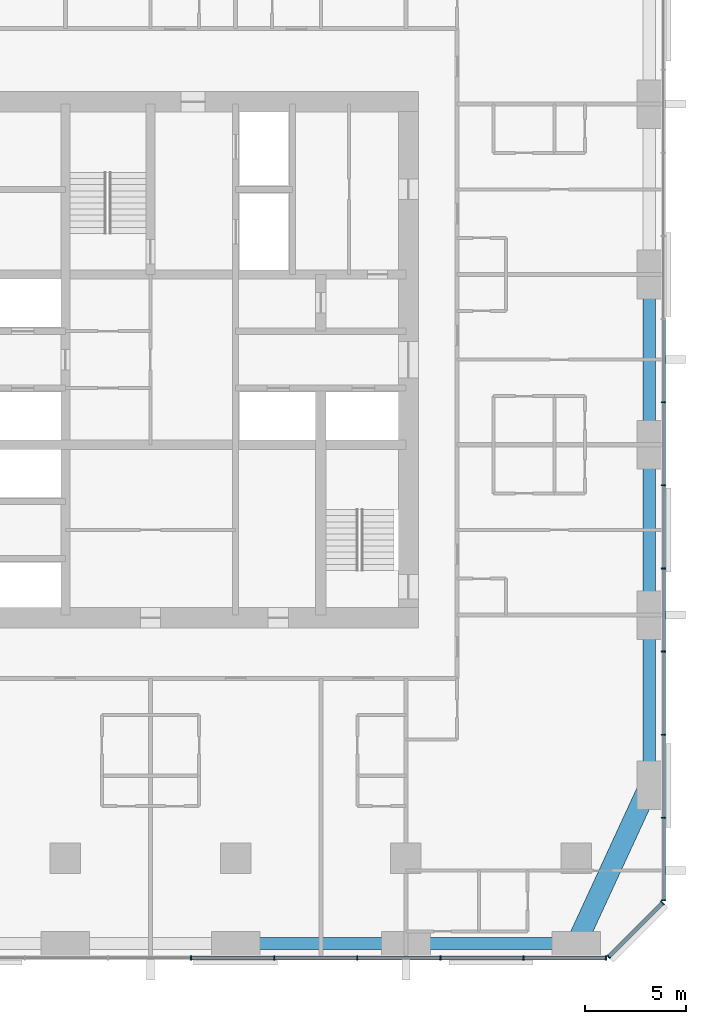
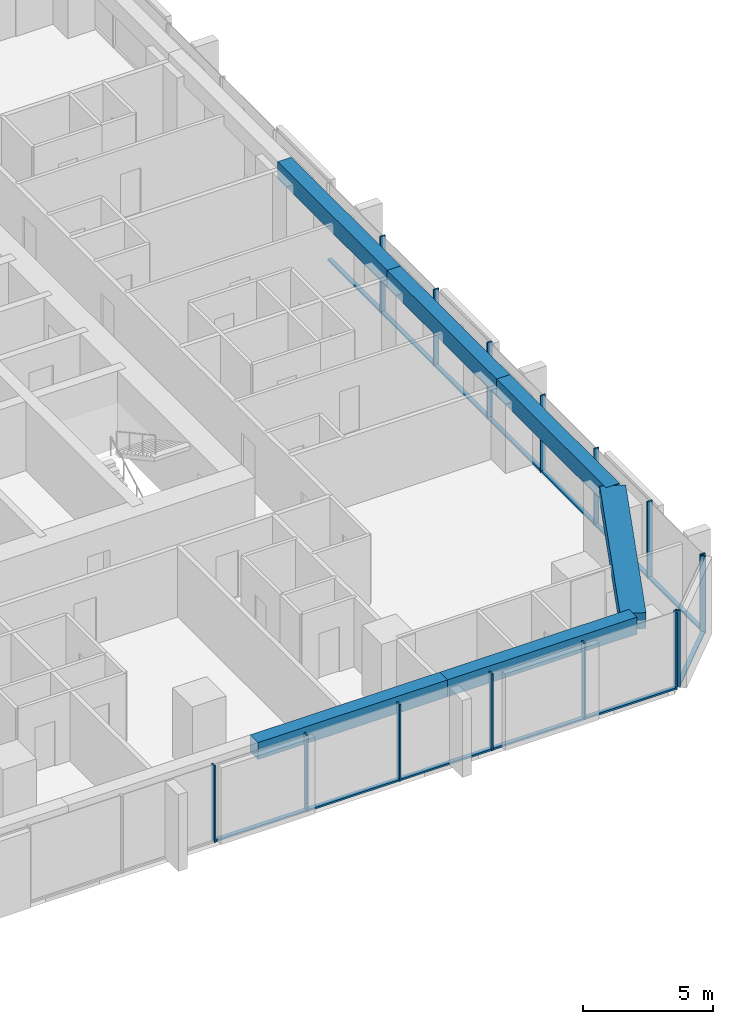
# One storey, part 4 of 14: 28 members, 6 beams, 3 elements without a shape of their own.
"""IFC4 building model written with IfcOpenShell, lengths in metres."""

from ifc_helpers import new_model, si_unit, direction, frame, origin, origin_2d, place, context, subcontext, project, spatial, rectangle, extrude, material, material_profile, profile_set, type_object, element, aggregate, save


model = new_model("IFC4")

# Units and contexts
model_context = context("Model", 3, precision=1e-05, world=origin(), true_north=direction((0.0, 1.0)))
body_context = subcontext(model_context, "Body", "Model", "MODEL_VIEW")
ifc_project = project(units=[si_unit("LENGTHUNIT", "METRE"), si_unit("AREAUNIT", "SQUARE_METRE"), si_unit("VOLUMEUNIT", "CUBIC_METRE"), si_unit("PLANEANGLEUNIT", "RADIAN"), si_unit("MASSUNIT", "GRAM", prefix="KILO")], contexts=[model_context])

# Site, building, storey
site_placement = place(None, origin())
site = spatial("IfcSite", under=ifc_project, at=site_placement, CompositionType="ELEMENT")
building_placement = place(site_placement, origin())
building = spatial("IfcBuilding", under=site, at=building_placement, Name="Dunama Terrace Hotel", CompositionType="ELEMENT")
storey_placement = place(building_placement, frame((0.0, 0.0, 129.60009765625)))
storey = spatial("IfcBuildingStorey", under=building, at=storey_placement, Name="L33", CompositionType="ELEMENT", Elevation=129.60009765625)

# Curtain wall, members
ifc_material_1 = material(Name="Aluminium curtain wall system", Category="aluminium")
curtain_wall_type = type_object("IfcCurtainWallType", Name="Unitised fritted glass wall CW-B", PredefinedType="NOTDEFINED", material=ifc_material_1)
curtain_wall_1_placement = place(storey_placement, origin())
curtain_wall_1 = element("IfcCurtainWall", 1, at=curtain_wall_1_placement, inside=storey, type_object=curtain_wall_type, Name="Unitised fritted glass wall CW-B L33", PredefinedType="NOTDEFINED")
ifc_material_2 = material(Name="Aluminium mullion", Category="aluminium")
ifc_material_profile_1 = material_profile(ifc_material_2, rectangle(XDim=0.06494140625, YDim=0.219970703125, at=origin_2d()), Name="CWB MULLION 65X220")
ifc_profile_set_1 = profile_set([ifc_material_profile_1], Name="Aluminium mullion")
member_type_1 = type_object("IfcMemberType", Name="CWB mullion 65x220", PredefinedType="MULLION", material=ifc_profile_set_1)
member_1_placement = place(storey_placement, frame((31.39990234375, -0.110107421875, 0.0), z_axis=(0.0, 0.0, 1.0), x_axis=(1.0, 0.0, 0.0)))
member_1 = element("IfcMember", 2, at=member_1_placement, type_object=member_type_1, Name="CWB mullion", PredefinedType="MULLION", context=body_context, shape_type="SweptSolid", body=[
    extrude(rectangle(XDim=0.06494140625, YDim=0.219970703125, at=origin_2d()), origin(), (0.0, 0.0, 1.0), 3.599853515625),
])
member_2_placement = place(storey_placement, frame((35.5, -0.110107421875, 0.0), z_axis=(0.0, 0.0, 1.0), x_axis=(1.0, 0.0, 0.0)))
member_2 = element("IfcMember", 3, at=member_2_placement, type_object=member_type_1, Name="CWB mullion", PredefinedType="MULLION", context=body_context, shape_type="SweptSolid", body=[
    extrude(rectangle(XDim=0.06494140625, YDim=0.219970703125, at=origin_2d()), origin(), (0.0, 0.0, 1.0), 3.599853515625),
])
member_3_placement = place(storey_placement, frame((39.60009765625, -0.110107421875, 0.0), z_axis=(0.0, 0.0, 1.0), x_axis=(1.0, 0.0, 0.0)))
member_3 = element("IfcMember", 4, at=member_3_placement, type_object=member_type_1, Name="CWB mullion", PredefinedType="MULLION", context=body_context, shape_type="SweptSolid", body=[
    extrude(rectangle(XDim=0.06494140625, YDim=0.219970703125, at=origin_2d()), origin(), (0.0, 0.0, 1.0), 3.599853515625),
])
member_4_placement = place(storey_placement, frame((43.699951171875, -0.110107421875, 0.0), z_axis=(0.0, 0.0, 1.0), x_axis=(1.0, 0.0, 0.0)))
member_4 = element("IfcMember", 5, at=member_4_placement, type_object=member_type_1, Name="CWB mullion", PredefinedType="MULLION", context=body_context, shape_type="SweptSolid", body=[
    extrude(rectangle(XDim=0.06494140625, YDim=0.219970703125, at=origin_2d()), origin(), (0.0, 0.0, 1.0), 3.599853515625),
])
member_5_placement = place(storey_placement, frame((47.800048828125, -0.110107421875, 0.0), z_axis=(0.0, 0.0, 1.0), x_axis=(1.0, 0.0, 0.0)))
member_5 = element("IfcMember", 6, at=member_5_placement, type_object=member_type_1, Name="CWB mullion", PredefinedType="MULLION", context=body_context, shape_type="SweptSolid", body=[
    extrude(rectangle(XDim=0.06494140625, YDim=0.219970703125, at=origin_2d()), origin(), (0.0, 0.0, 1.0), 3.599853515625),
])
member_6_placement = place(storey_placement, frame((51.866943359375, -0.110107421875, 0.0), z_axis=(0.0, 0.0, 1.0), x_axis=(1.0, 0.0, 0.0)))
member_6 = element("IfcMember", 7, at=member_6_placement, type_object=member_type_1, Name="CWB mullion", PredefinedType="MULLION", context=body_context, shape_type="SweptSolid", body=[
    extrude(rectangle(XDim=0.06494140625, YDim=0.219970703125, at=origin_2d()), origin(), (0.0, 0.0, 1.0), 3.599853515625),
])

curtain_wall_2_placement = place(storey_placement, origin())
curtain_wall_2 = element("IfcCurtainWall", 8, at=curtain_wall_2_placement, inside=storey, type_object=curtain_wall_type, Name="Unitised fritted glass wall CW-B L33", PredefinedType="NOTDEFINED")
member_7_placement = place(storey_placement, frame((52.0009765625, -0.054931640625, 0.0), z_axis=(0.0, 0.0, 1.0), x_axis=(0.707106781187, 0.707106781187, 0.0)))
member_7 = element("IfcMember", 9, at=member_7_placement, type_object=member_type_1, Name="CWB mullion", PredefinedType="MULLION", context=body_context, shape_type="SweptSolid", body=[
    extrude(rectangle(XDim=0.06494140625, YDim=0.219970703125, at=origin_2d()), origin(), (0.0, 0.0, 1.0), 3.599853515625),
])
member_8_placement = place(storey_placement, frame((54.655029296875, 2.59912109375, 0.0), z_axis=(0.0, 0.0, 1.0), x_axis=(0.707106781187, 0.707106781187, 0.0)))
member_8 = element("IfcMember", 10, at=member_8_placement, type_object=member_type_1, Name="CWB mullion", PredefinedType="MULLION", context=body_context, shape_type="SweptSolid", body=[
    extrude(rectangle(XDim=0.06494140625, YDim=0.219970703125, at=origin_2d()), origin(), (0.0, 0.0, 1.0), 3.599853515625),
])

curtain_wall_3_placement = place(storey_placement, origin())
curtain_wall_3 = element("IfcCurtainWall", 11, at=curtain_wall_3_placement, inside=storey, type_object=curtain_wall_type, Name="Unitised fritted glass wall CW-B L33", PredefinedType="NOTDEFINED")
member_9_placement = place(storey_placement, frame((54.7099609375, 2.73291015625, 0.0), z_axis=(0.0, 0.0, 1.0), x_axis=(0.0, 1.0, 0.0)))
member_9 = element("IfcMember", 12, at=member_9_placement, type_object=member_type_1, Name="CWB mullion", PredefinedType="MULLION", context=body_context, shape_type="SweptSolid", body=[
    extrude(rectangle(XDim=0.06494140625, YDim=0.219970703125, at=origin_2d()), origin(), (0.0, 0.0, 1.0), 3.599853515625),
])
member_10_placement = place(storey_placement, frame((54.7099609375, 6.800048828125, 0.0), z_axis=(0.0, 0.0, 1.0), x_axis=(0.0, 1.0, 0.0)))
member_10 = element("IfcMember", 13, at=member_10_placement, type_object=member_type_1, Name="CWB mullion", PredefinedType="MULLION", context=body_context, shape_type="SweptSolid", body=[
    extrude(rectangle(XDim=0.06494140625, YDim=0.219970703125, at=origin_2d()), origin(), (0.0, 0.0, 1.0), 3.599853515625),
])
member_11_placement = place(storey_placement, frame((54.7099609375, 10.89990234375, 0.0), z_axis=(0.0, 0.0, 1.0), x_axis=(0.0, 1.0, 0.0)))
member_11 = element("IfcMember", 14, at=member_11_placement, type_object=member_type_1, Name="CWB mullion", PredefinedType="MULLION", context=body_context, shape_type="SweptSolid", body=[
    extrude(rectangle(XDim=0.06494140625, YDim=0.219970703125, at=origin_2d()), origin(), (0.0, 0.0, 1.0), 3.599853515625),
])
member_12_placement = place(storey_placement, frame((54.7099609375, 15.0, 0.0), z_axis=(0.0, 0.0, 1.0), x_axis=(0.0, 1.0, 0.0)))
member_12 = element("IfcMember", 15, at=member_12_placement, type_object=member_type_1, Name="CWB mullion", PredefinedType="MULLION", context=body_context, shape_type="SweptSolid", body=[
    extrude(rectangle(XDim=0.06494140625, YDim=0.219970703125, at=origin_2d()), origin(), (0.0, 0.0, 1.0), 3.599853515625),
])
member_13_placement = place(storey_placement, frame((54.7099609375, 19.10009765625, 0.0), z_axis=(0.0, 0.0, 1.0), x_axis=(0.0, 1.0, 0.0)))
member_13 = element("IfcMember", 16, at=member_13_placement, type_object=member_type_1, Name="CWB mullion", PredefinedType="MULLION", context=body_context, shape_type="SweptSolid", body=[
    extrude(rectangle(XDim=0.06494140625, YDim=0.219970703125, at=origin_2d()), origin(), (0.0, 0.0, 1.0), 3.599853515625),
])
member_14_placement = place(storey_placement, frame((54.7099609375, 23.199951171875, 0.0), z_axis=(0.0, 0.0, 1.0), x_axis=(0.0, 1.0, 0.0)))
member_14 = element("IfcMember", 17, at=member_14_placement, type_object=member_type_1, Name="CWB mullion", PredefinedType="MULLION", context=body_context, shape_type="SweptSolid", body=[
    extrude(rectangle(XDim=0.06494140625, YDim=0.219970703125, at=origin_2d()), origin(), (0.0, 0.0, 1.0), 3.599853515625),
])
member_15_placement = place(storey_placement, frame((54.7099609375, 27.300048828125, 0.0), z_axis=(0.0, 0.0, 1.0), x_axis=(0.0, 1.0, 0.0)))
member_15 = element("IfcMember", 18, at=member_15_placement, type_object=member_type_1, Name="CWB mullion", PredefinedType="MULLION", context=body_context, shape_type="SweptSolid", body=[
    extrude(rectangle(XDim=0.06494140625, YDim=0.219970703125, at=origin_2d()), origin(), (0.0, 0.0, 1.0), 3.599853515625),
])

# Member
ifc_material_3 = material(Name="Aluminium transom", Category="aluminium")
ifc_material_profile_2 = material_profile(ifc_material_3, rectangle(XDim=0.179931640625, YDim=0.080078125, at=origin_2d()), Name="CWB TRANSOM 180X80")
ifc_profile_set_2 = profile_set([ifc_material_profile_2], Name="Aluminium transom")
member_type_2 = type_object("IfcMemberType", Name="CWB transom 180x80", PredefinedType="USERDEFINED", material=ifc_profile_set_2)
member_16_placement = place(storey_placement, frame((31.431884765625, -0.110107421875, 0.039794921875), z_axis=(1.0, 0.0, 0.0), x_axis=(0.0, 1.0, 0.0)))
member_16 = element("IfcMember", 19, at=member_16_placement, type_object=member_type_2, Name="CWB transom", ObjectType="TRANSOM", PredefinedType="USERDEFINED", context=body_context, shape_type="SweptSolid", body=[
    extrude(rectangle(XDim=0.179931640625, YDim=0.080078125, at=origin_2d()), origin(), (0.0, 0.0, 1.0), 4.0361328125),
])

member_17_placement = place(storey_placement, frame((35.531982421875, -0.110107421875, 0.039794921875), z_axis=(1.0, 0.0, 0.0), x_axis=(0.0, 1.0, 0.0)))
member_17 = element("IfcMember", 20, at=member_17_placement, type_object=member_type_2, Name="CWB transom", ObjectType="TRANSOM", PredefinedType="USERDEFINED", context=body_context, shape_type="SweptSolid", body=[
    extrude(rectangle(XDim=0.179931640625, YDim=0.080078125, at=origin_2d()), origin(), (0.0, 0.0, 1.0), 4.0361328125),
])

member_18_placement = place(storey_placement, frame((39.633056640625, -0.110107421875, 0.039794921875), z_axis=(1.0, 0.0, 0.0), x_axis=(0.0, 1.0, 0.0)))
member_18 = element("IfcMember", 21, at=member_18_placement, type_object=member_type_2, Name="CWB transom", ObjectType="TRANSOM", PredefinedType="USERDEFINED", context=body_context, shape_type="SweptSolid", body=[
    extrude(rectangle(XDim=0.179931640625, YDim=0.080078125, at=origin_2d()), origin(), (0.0, 0.0, 1.0), 4.034912109375),
])

member_19_placement = place(storey_placement, frame((43.73291015625, -0.110107421875, 0.039794921875), z_axis=(1.0, 0.0, 0.0), x_axis=(0.0, 1.0, 0.0)))
member_19 = element("IfcMember", 22, at=member_19_placement, type_object=member_type_2, Name="CWB transom", ObjectType="TRANSOM", PredefinedType="USERDEFINED", context=body_context, shape_type="SweptSolid", body=[
    extrude(rectangle(XDim=0.179931640625, YDim=0.080078125, at=origin_2d()), origin(), (0.0, 0.0, 1.0), 4.0341796875),
])

member_20_placement = place(storey_placement, frame((47.83203125, -0.110107421875, 0.039794921875), z_axis=(1.0, 0.0, 0.0), x_axis=(0.0, 1.0, 0.0)))
member_20 = element("IfcMember", 23, at=member_20_placement, type_object=member_type_2, Name="CWB transom", ObjectType="TRANSOM", PredefinedType="USERDEFINED", context=body_context, shape_type="SweptSolid", body=[
    extrude(rectangle(XDim=0.179931640625, YDim=0.080078125, at=origin_2d()), origin(), (0.0, 0.0, 1.0), 4.0029296875),
])

aggregate(curtain_wall_1, [member_1, member_2, member_3, member_4, member_5, member_6, member_16, member_17, member_18, member_19, member_20])

member_21_placement = place(storey_placement, frame((52.02392578125, -0.031982421875, 0.039794921875), z_axis=(0.707139876915, 0.707073683909, 0.0), x_axis=(-0.707073683909, 0.707139876915, 0.0)))
member_21 = element("IfcMember", 24, at=member_21_placement, type_object=member_type_2, Name="CWB transom", ObjectType="TRANSOM", PredefinedType="USERDEFINED", context=body_context, shape_type="SweptSolid", body=[
    extrude(rectangle(XDim=0.179931640625, YDim=0.080078125, at=origin_2d()), origin(), (0.0, 0.0, 1.0), 3.688232421875),
])

aggregate(curtain_wall_2, [member_7, member_8, member_21])

member_22_placement = place(storey_placement, frame((54.7099609375, 2.764892578125, 0.039794921875), z_axis=(0.0, 1.0, 0.0), x_axis=(-1.0, 0.0, 0.0)))
member_22 = element("IfcMember", 25, at=member_22_placement, type_object=member_type_2, Name="CWB transom", ObjectType="TRANSOM", PredefinedType="USERDEFINED", context=body_context, shape_type="SweptSolid", body=[
    extrude(rectangle(XDim=0.179931640625, YDim=0.080078125, at=origin_2d()), origin(), (0.0, 0.0, 1.0), 4.003173828125),
])

member_23_placement = place(storey_placement, frame((54.7099609375, 6.83203125, 0.039794921875), z_axis=(0.0, 1.0, 0.0), x_axis=(-1.0, 0.0, 0.0)))
member_23 = element("IfcMember", 26, at=member_23_placement, type_object=member_type_2, Name="CWB transom", ObjectType="TRANSOM", PredefinedType="USERDEFINED", context=body_context, shape_type="SweptSolid", body=[
    extrude(rectangle(XDim=0.179931640625, YDim=0.080078125, at=origin_2d()), origin(), (0.0, 0.0, 1.0), 4.034912109375),
])

member_24_placement = place(storey_placement, frame((54.7099609375, 10.93310546875, 0.039794921875), z_axis=(0.0, 1.0, 0.0), x_axis=(-1.0, 0.0, 0.0)))
member_24 = element("IfcMember", 27, at=member_24_placement, type_object=member_type_2, Name="CWB transom", ObjectType="TRANSOM", PredefinedType="USERDEFINED", context=body_context, shape_type="SweptSolid", body=[
    extrude(rectangle(XDim=0.179931640625, YDim=0.080078125, at=origin_2d()), origin(), (0.0, 0.0, 1.0), 4.033935546875),
])

member_25_placement = place(storey_placement, frame((54.7099609375, 15.031982421875, 0.039794921875), z_axis=(0.0, 1.0, 0.0), x_axis=(-1.0, 0.0, 0.0)))
member_25 = element("IfcMember", 28, at=member_25_placement, type_object=member_type_2, Name="CWB transom", ObjectType="TRANSOM", PredefinedType="USERDEFINED", context=body_context, shape_type="SweptSolid", body=[
    extrude(rectangle(XDim=0.179931640625, YDim=0.080078125, at=origin_2d()), origin(), (0.0, 0.0, 1.0), 4.034912109375),
])

member_26_placement = place(storey_placement, frame((54.7099609375, 19.132080078125, 0.039794921875), z_axis=(0.0, 1.0, 0.0), x_axis=(-1.0, 0.0, 0.0)))
member_26 = element("IfcMember", 29, at=member_26_placement, type_object=member_type_2, Name="CWB transom", ObjectType="TRANSOM", PredefinedType="USERDEFINED", context=body_context, shape_type="SweptSolid", body=[
    extrude(rectangle(XDim=0.179931640625, YDim=0.080078125, at=origin_2d()), origin(), (0.0, 0.0, 1.0), 4.035888671875),
])

member_27_placement = place(storey_placement, frame((54.7099609375, 23.23193359375, 0.039794921875), z_axis=(0.0, 1.0, 0.0), x_axis=(-1.0, 0.0, 0.0)))
member_27 = element("IfcMember", 30, at=member_27_placement, type_object=member_type_2, Name="CWB transom", ObjectType="TRANSOM", PredefinedType="USERDEFINED", context=body_context, shape_type="SweptSolid", body=[
    extrude(rectangle(XDim=0.179931640625, YDim=0.080078125, at=origin_2d()), origin(), (0.0, 0.0, 1.0), 4.03515625),
])

member_28_placement = place(storey_placement, frame((54.7099609375, 27.33203125, 0.039794921875), z_axis=(0.0, 1.0, 0.0), x_axis=(-1.0, 0.0, 0.0)))
member_28 = element("IfcMember", 31, at=member_28_placement, type_object=member_type_2, Name="CWB transom", ObjectType="TRANSOM", PredefinedType="USERDEFINED", context=body_context, shape_type="SweptSolid", body=[
    extrude(rectangle(XDim=0.179931640625, YDim=0.080078125, at=origin_2d()), origin(), (0.0, 0.0, 1.0), 4.034912109375),
])

aggregate(curtain_wall_3, [member_9, member_10, member_11, member_12, member_13, member_14, member_15, member_22, member_23, member_24, member_25, member_26, member_27, member_28])

# Beams
ifc_material_4 = material(Name="Concrete C50/60", Category="concrete")
ifc_material_profile_3 = material_profile(ifc_material_4, rectangle(XDim=1.0, YDim=0.75, at=origin_2d()), Name="RC 1000x750")
ifc_profile_set_3 = profile_set([ifc_material_profile_3], Name="Concrete C50/60")
beam_type_1 = type_object("IfcBeamType", Name="Edge beam RC 1000x750", PredefinedType="SPANDREL", material=ifc_profile_set_3)
beam_1_placement = place(storey_placement, frame((50.39990234375, 0.60009765625, 3.224853515625), z_axis=(0.419076199598, 0.907951066374, 0.0), x_axis=(-0.907951066374, 0.419076199598, 0.0)))
element("IfcBeam", 32, at=beam_1_placement, inside=storey, type_object=beam_type_1, Name="Corner edge beam under L34", PredefinedType="SPANDREL", context=body_context, shape_type="SweptSolid", body=[
    extrude(rectangle(XDim=1.0, YDim=0.75, at=origin_2d()), origin(), (0.0, 0.0, 1.0), 8.590576171875),
])
ifc_material_5 = material(Name="Concrete C40/50", Category="concrete")
ifc_material_profile_4 = material_profile(ifc_material_5, rectangle(XDim=0.60009765625, YDim=0.800048828125, at=origin_2d()), Name="RC 600x800")
ifc_profile_set_4 = profile_set([ifc_material_profile_4], Name="Concrete C40/50")
beam_type_2 = type_object("IfcBeamType", Name="Edge beam RC 600x800", PredefinedType="SPANDREL", material=ifc_profile_set_4)
beam_2_placement = place(storey_placement, frame((54.0, 8.39990234375, 3.199951171875), z_axis=(0.0, 1.0, 0.0), x_axis=(-1.0, 0.0, 0.0)))
element("IfcBeam", 33, at=beam_2_placement, inside=storey, type_object=beam_type_2, Name="Edge beam under L34", PredefinedType="SPANDREL", context=body_context, shape_type="SweptSolid", body=[
    extrude(rectangle(XDim=0.60009765625, YDim=0.800048828125, at=origin_2d()), origin(), (0.0, 0.0, 1.0), 8.400146484375),
])
beam_3_placement = place(storey_placement, frame((54.0, 16.800048828125, 3.199951171875), z_axis=(0.0, 1.0, 0.0), x_axis=(-1.0, 0.0, 0.0)))
element("IfcBeam", 34, at=beam_3_placement, inside=storey, type_object=beam_type_2, Name="Edge beam under L34", PredefinedType="SPANDREL", context=body_context, shape_type="SweptSolid", body=[
    extrude(rectangle(XDim=0.60009765625, YDim=0.800048828125, at=origin_2d()), origin(), (0.0, 0.0, 1.0), 8.39990234375),
])
beam_4_placement = place(storey_placement, frame((54.0, 25.199951171875, 3.199951171875), z_axis=(0.0, 1.0, 0.0), x_axis=(-1.0, 0.0, 0.0)))
element("IfcBeam", 35, at=beam_4_placement, inside=storey, type_object=beam_type_2, Name="Edge beam under L34", PredefinedType="SPANDREL", context=body_context, shape_type="SweptSolid", body=[
    extrude(rectangle(XDim=0.60009765625, YDim=0.800048828125, at=origin_2d()), origin(), (0.0, 0.0, 1.0), 8.400146484375),
])
for number, where, z_axis, x_axis, name in (
    (36, (33.60009765625, 0.60009765625, 3.199951171875), (1.0, 0.0, 0.0), (0.0, 1.0, 0.0), "Edge beam under L34"),
    (37, (42.0, 0.60009765625, 3.199951171875), (1.0, 0.0, 0.0), (0.0, 1.0, 0.0), "Edge beam under L34"),
):
    element("IfcBeam", number, at=place(storey_placement, frame(where, z_axis=z_axis, x_axis=x_axis)), inside=storey, type_object=beam_type_2, Name=name, PredefinedType="SPANDREL", context=body_context, shape_type="SweptSolid", body=[
        extrude(rectangle(XDim=0.60009765625, YDim=0.800048828125, at=origin_2d()), origin(), (0.0, 0.0, 1.0), 8.39990234375),
    ])

save(model, "model.ifc")
